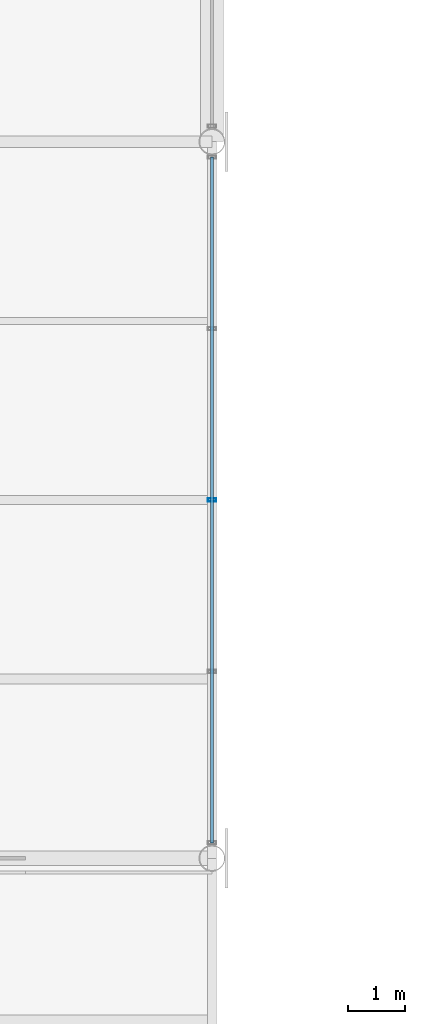
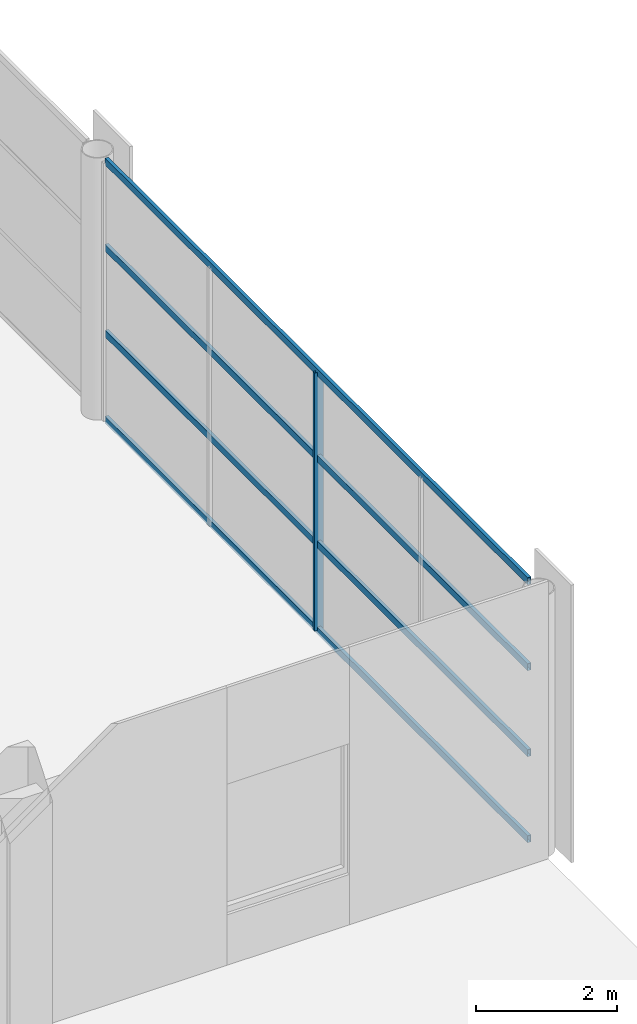
# One storey, part 40 of 101: 5 members, 1 element without a shape of its own.
"""IFC4 building model written with IfcOpenShell, lengths in metres."""

from ifc_helpers import new_model, si_unit, direction, frame, origin, origin_2d, place, context, subcontext, project, spatial, hollow_rectangle, extrude, material, material_profile, profile_set, type_object, element, aggregate, save


model = new_model("IFC4")

# Units and contexts
model_context = context("Model", 3, precision=1e-05, world=origin(), true_north=direction((0.0, 1.0)))
body_context = subcontext(model_context, "Body", "Model", "MODEL_VIEW")
ifc_project = project(units=[si_unit("LENGTHUNIT", "METRE"), si_unit("AREAUNIT", "SQUARE_METRE"), si_unit("VOLUMEUNIT", "CUBIC_METRE"), si_unit("PLANEANGLEUNIT", "RADIAN"), si_unit("MASSUNIT", "GRAM", prefix="KILO")], contexts=[model_context])

# Site, building, storey
site_placement = place(None, origin())
site = spatial("IfcSite", under=ifc_project, at=site_placement, CompositionType="ELEMENT")
building_placement = place(site_placement, origin())
building = spatial("IfcBuilding", under=site, at=building_placement, Name="Solvikara Media Centre", CompositionType="ELEMENT")
storey_placement = place(building_placement, frame((0.0, 0.0, 10.199951171875)))
storey = spatial("IfcBuildingStorey", under=building, at=storey_placement, Name="L02", CompositionType="ELEMENT", Elevation=10.199951171875)

# Curtain wall, members
ifc_material = material(Name="Anodised aluminium EN AW-6063", Category="aluminium")
curtain_wall_type = type_object("IfcCurtainWallType", Name="CW-08", PredefinedType="NOTDEFINED", material=ifc_material)
curtain_wall_placement = place(storey_placement, origin())
curtain_wall = element("IfcCurtainWall", 1, at=curtain_wall_placement, inside=storey, type_object=curtain_wall_type, Name="CW-L02-V3E-S1", PredefinedType="NOTDEFINED")
ifc_material_profile_1 = material_profile(ifc_material, hollow_rectangle(XDim=0.054931640625, YDim=0.139892578125, WallThickness=0.0029296875, at=origin_2d()), Name="ALU-M 55x140x3")
ifc_profile_set_1 = profile_set([ifc_material_profile_1], Name="Anodised aluminium EN AW-6063")
member_type_1 = type_object("IfcMemberType", Name="MF-05", PredefinedType="MULLION", material=ifc_profile_set_1)
member_1_placement = place(storey_placement, frame((34.0, 95.25, 0.02001953125), z_axis=(0.0, 0.0, 1.0), x_axis=(0.0, 1.0, 0.0)))
member_1 = element("IfcMember", 2, at=member_1_placement, type_object=member_type_1, Name="CW-L02-V3E-S1-M02", PredefinedType="MULLION", context=body_context, shape_type="SweptSolid", body=[
    extrude(hollow_rectangle(XDim=0.054931640625, YDim=0.139892578125, WallThickness=0.0029296875, at=origin_2d()), origin(), (0.0, 0.0, 1.0), 4.4599609375),
])
ifc_material_profile_2 = material_profile(ifc_material, hollow_rectangle(XDim=0.054931640625, YDim=0.1201171875, WallThickness=0.0029296875, at=origin_2d()), Name="ALU-T 55x120x3")
ifc_profile_set_2 = profile_set([ifc_material_profile_2], Name="Anodised aluminium EN AW-6063")
member_type_2 = type_object("IfcMemberType", Name="MF-11", PredefinedType="USERDEFINED", material=ifc_profile_set_2)
member_2_placement = place(storey_placement, frame((34.0, 89.26904296875, 0.02001953125), z_axis=(0.0, 1.0, 0.0), x_axis=(-1.0, 0.0, 0.0)))
member_2 = element("IfcMember", 3, at=member_2_placement, type_object=member_type_2, Name="CW-L02-V3E-S1-T00", ObjectType="TRANSOM", PredefinedType="USERDEFINED", context=body_context, shape_type="SweptSolid", body=[
    extrude(hollow_rectangle(XDim=0.054931640625, YDim=0.1201171875, WallThickness=0.0029296875, at=origin_2d()), origin(), (0.0, 0.0, 1.0), 11.9619140625),
])
member_3_placement = place(storey_placement, frame((34.0, 89.26904296875, 1.507080078125), z_axis=(0.0, 1.0, 0.0), x_axis=(-1.0, 0.0, 0.0)))
member_3 = element("IfcMember", 4, at=member_3_placement, type_object=member_type_2, Name="CW-L02-V3E-S1-T01", ObjectType="TRANSOM", PredefinedType="USERDEFINED", context=body_context, shape_type="SweptSolid", body=[
    extrude(hollow_rectangle(XDim=0.054931640625, YDim=0.1201171875, WallThickness=0.0029296875, at=origin_2d()), origin(), (0.0, 0.0, 1.0), 11.9619140625),
])
member_4_placement = place(storey_placement, frame((34.0, 89.26904296875, 2.9931640625), z_axis=(0.0, 1.0, 0.0), x_axis=(-1.0, 0.0, 0.0)))
member_4 = element("IfcMember", 5, at=member_4_placement, type_object=member_type_2, Name="CW-L02-V3E-S1-T02", ObjectType="TRANSOM", PredefinedType="USERDEFINED", context=body_context, shape_type="SweptSolid", body=[
    extrude(hollow_rectangle(XDim=0.054931640625, YDim=0.1201171875, WallThickness=0.0029296875, at=origin_2d()), origin(), (0.0, 0.0, 1.0), 11.9619140625),
])
member_5_placement = place(storey_placement, frame((34.0, 89.26904296875, 4.47998046875), z_axis=(0.0, 1.0, 0.0), x_axis=(-1.0, 0.0, 0.0)))
member_5 = element("IfcMember", 6, at=member_5_placement, type_object=member_type_2, Name="CW-L02-V3E-S1-T03", ObjectType="TRANSOM", PredefinedType="USERDEFINED", context=body_context, shape_type="SweptSolid", body=[
    extrude(hollow_rectangle(XDim=0.054931640625, YDim=0.1201171875, WallThickness=0.0029296875, at=origin_2d()), origin(), (0.0, 0.0, 1.0), 11.9619140625),
])
aggregate(curtain_wall, [member_1, member_2, member_3, member_4, member_5])

save(model, "model.ifc")
